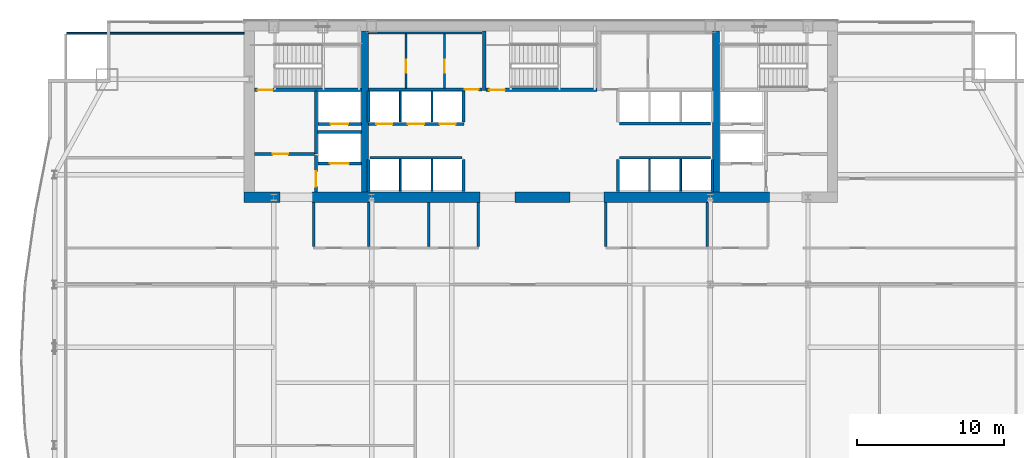
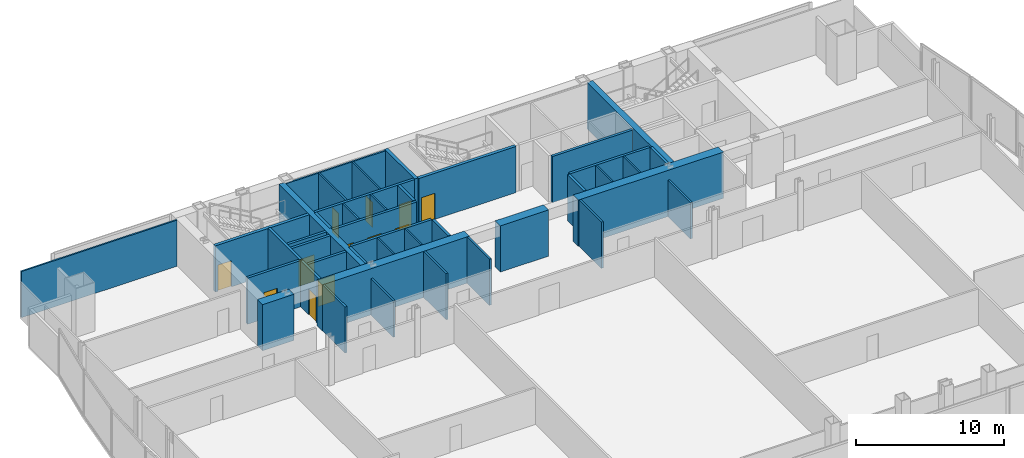
# One storey, part 29 of 34: 42 walls, 12 doors, 12 openings.
"""IFC4 building model written with IfcOpenShell, lengths in metres."""

from ifc_helpers import new_model, si_unit, direction, frame, frame_2d, origin, place, context, subcontext, project, spatial, rectangle, extrude, material, layer, layer_set, type_object, element, fill, save


model = new_model("IFC4")

# Units and contexts
model_context = context("Model", 3, precision=1e-05, world=origin(), true_north=direction((0.0, 1.0)))
body_context = subcontext(model_context, "Body", "Model", "MODEL_VIEW")
ifc_project = project(units=[si_unit("LENGTHUNIT", "METRE"), si_unit("AREAUNIT", "SQUARE_METRE"), si_unit("VOLUMEUNIT", "CUBIC_METRE"), si_unit("PLANEANGLEUNIT", "RADIAN"), si_unit("MASSUNIT", "GRAM", prefix="KILO")], contexts=[model_context])

# Site, building, storey
site_placement = place(None, origin())
site = spatial("IfcSite", under=ifc_project, at=site_placement, CompositionType="ELEMENT")
building_placement = place(site_placement, origin())
building = spatial("IfcBuilding", under=site, at=building_placement, Name="Khoronbel Lancet Exchange", CompositionType="ELEMENT")
storey_placement = place(building_placement, frame((0.0, 0.0, 102.60009765625)))
storey = spatial("IfcBuildingStorey", under=building, at=storey_placement, Name="L24", CompositionType="ELEMENT", Elevation=102.60009765625)

# Walls
ifc_material_1 = material(Name="Concrete C80/95", Category="concrete")
ifc_layer_1 = layer(ifc_material_1, 0.699951171875, Name="Concrete C80/95")
ifc_layer_set_1 = layer_set([ifc_layer_1], Name="Concrete C80/95")
wall_type_1 = type_object("IfcWallType", Name="WL-CW2", PredefinedType="SHEAR", material=ifc_layer_set_1)
wall_1_placement = place(storey_placement, frame((18.64990234375, 41.64990234375, 0.0), z_axis=(0.0, 0.0, 1.0), x_axis=(-1.0, 0.0, 0.0)))
element("IfcWall", 1, at=wall_1_placement, inside=storey, type_object=wall_type_1, Name="Level L24 rear core south shear wall pier P1", PredefinedType="SHEAR", context=body_context, shape_type="SweptSolid", body=[
    extrude(rectangle(XDim=2.449951171875, YDim=0.699951171875, at=frame_2d((1.22509765625, 0.0))), origin(), (0.0, 0.0, 1.0), 3.7998046875),
])
wall_2_placement = place(storey_placement, frame((32.300048828125, 41.64990234375, 0.0), z_axis=(0.0, 0.0, 1.0), x_axis=(-1.0, 0.0, 0.0)))
element("IfcWall", 2, at=wall_2_placement, inside=storey, type_object=wall_type_1, Name="Level L24 rear core south shear wall pier P2", PredefinedType="SHEAR", context=body_context, shape_type="SweptSolid", body=[
    extrude(rectangle(XDim=11.449951171875, YDim=0.699951171875, at=frame_2d((5.72509765625, 0.0))), origin(), (0.0, 0.0, 1.0), 3.7998046875),
])
wall_3_placement = place(storey_placement, frame((38.449951171875, 41.64990234375, 0.0), z_axis=(0.0, 0.0, 1.0), x_axis=(-1.0, 0.0, 0.0)))
element("IfcWall", 3, at=wall_3_placement, inside=storey, type_object=wall_type_1, Name="Level L24 rear core south shear wall pier P3", PredefinedType="SHEAR", context=body_context, shape_type="SweptSolid", body=[
    extrude(rectangle(XDim=3.75, YDim=0.699951171875, at=frame_2d((1.875, 0.0))), origin(), (0.0, 0.0, 1.0), 3.7998046875),
])
wall_4_placement = place(storey_placement, frame((52.050048828125, 41.64990234375, 0.0), z_axis=(0.0, 0.0, 1.0), x_axis=(-1.0, 0.0, 0.0)))
element("IfcWall", 4, at=wall_4_placement, inside=storey, type_object=wall_type_1, Name="Level L24 rear core south shear wall pier P4", PredefinedType="SHEAR", context=body_context, shape_type="SweptSolid", body=[
    extrude(rectangle(XDim=11.300048828125, YDim=0.699951171875, at=frame_2d((5.64990234375, 0.0))), origin(), (0.0, 0.0, 1.0), 3.7998046875),
])
ifc_material_2 = material(Name="Acoustic Metal-Stud & Mineral-Wool Gypsum Partition 120 mm", Category="gypsum")
ifc_layer_2 = layer(ifc_material_2, 0.1201171875, Name="Acoustic Metal-Stud & Mineral-Wool Gypsum Partition 120 mm")
ifc_layer_set_2 = layer_set([ifc_layer_2], Name="Acoustic Metal-Stud & Mineral-Wool Gypsum Partition 120 mm")
wall_type_2 = type_object("IfcWallType", Name="WL-PRT120", PredefinedType="PARTITIONING", material=ifc_layer_set_2)
wall_5_placement = place(storey_placement, frame((20.949951171875, 38.280029296875, 0.0), z_axis=(0.0, 0.0, 1.0), x_axis=(0.0, 1.0, 0.0)))
element("IfcWall", 5, at=wall_5_placement, inside=storey, type_object=wall_type_2, Name="Level L24 interior partition PW-WC-0", PredefinedType="PARTITIONING", context=body_context, shape_type="SweptSolid", body=[
    extrude(rectangle(XDim=3.02001953125, YDim=0.14990234375, at=frame_2d((1.510009765625, 0.0))), origin(), (0.0, 0.0, 1.0), 3.7998046875),
])
wall_6_placement = place(storey_placement, frame((24.699951171875, 38.280029296875, 0.0), z_axis=(0.0, 0.0, 1.0), x_axis=(0.0, 1.0, 0.0)))
element("IfcWall", 6, at=wall_6_placement, inside=storey, type_object=wall_type_2, Name="Level L24 interior partition PW-WC-1", PredefinedType="PARTITIONING", context=body_context, shape_type="SweptSolid", body=[
    extrude(rectangle(XDim=3.02001953125, YDim=0.14990234375, at=frame_2d((1.510009765625, 0.0))), origin(), (0.0, 0.0, 1.0), 2.989990234375),
])
for number, where, z_axis, x_axis, name in (
    (7, (28.800048828125, 38.280029296875, 0.0), (0.0, 0.0, 1.0), (0.0, 1.0, 0.0), "Level L24 interior partition PW-WC-2"),
    (8, (32.179931640625, 38.280029296875, 0.0), (0.0, 0.0, 1.0), (0.0, 1.0, 0.0), "Level L24 interior partition PW-WC-3"),
    (9, (40.8798828125, 38.280029296875, 0.0), (0.0, 0.0, 1.0), (0.0, 1.0, 0.0), "Level L24 interior partition PW-NP-0"),
):
    element("IfcWall", number, at=place(storey_placement, frame(where, z_axis=z_axis, x_axis=x_axis)), inside=storey, type_object=wall_type_2, Name=name, PredefinedType="PARTITIONING", context=body_context, shape_type="SweptSolid", body=[
        extrude(rectangle(XDim=3.02001953125, YDim=0.14990234375, at=frame_2d((1.510009765625, 0.0))), origin(), (0.0, 0.0, 1.0), 3.7998046875),
    ])
wall_7_placement = place(storey_placement, frame((47.800048828125, 38.280029296875, 0.0), z_axis=(0.0, 0.0, 1.0), x_axis=(0.0, 1.0, 0.0)))
element("IfcWall", 10, at=wall_7_placement, inside=storey, type_object=wall_type_2, Name="Level L24 interior partition PW-NP-M", PredefinedType="PARTITIONING", context=body_context, shape_type="SweptSolid", body=[
    extrude(rectangle(XDim=3.02001953125, YDim=0.14990234375, at=frame_2d((1.510009765625, 0.0))), origin(), (0.0, 0.0, 1.0), 2.989990234375),
])
wall_8_placement = place(storey_placement, frame((4.094970703125, 52.840087890625, 0.0), z_axis=(0.0, 0.0, 1.0), x_axis=(1.0, 0.0, 0.0)))
element("IfcWall", 11, at=wall_8_placement, inside=storey, type_object=wall_type_2, Name="Level L24 interior partition PW-LIN-NW", PredefinedType="PARTITIONING", context=body_context, shape_type="SweptSolid", body=[
    extrude(rectangle(XDim=12.10498046875, YDim=0.1201171875, at=frame_2d((6.052490234375, 0.0))), origin(), (0.0, 0.0, 1.0), 3.7998046875),
])
ifc_material_3 = material(Name="Fire-Rated Metal-Stud & Mineral-Wool Gypsum Partition 120 mm", Category="gypsum")
ifc_layer_3 = layer(ifc_material_3, 0.1201171875, Name="Fire-Rated Metal-Stud & Mineral-Wool Gypsum Partition 120 mm")
ifc_layer_set_3 = layer_set([ifc_layer_3], Name="Fire-Rated Metal-Stud & Mineral-Wool Gypsum Partition 120 mm")
wall_type_3 = type_object("IfcWallType", Name="WL-PRT120F", PredefinedType="PARTITIONING", material=ifc_layer_set_3)
for number, where, z_axis, x_axis, name in (
    (12, (26.860107421875, 46.800048828125, 0.0), (0.0, 0.0, 1.0), (0.0, 1.0, 0.0), "Level L24 interior partition CW-PL-D1"),
    (13, (29.02001953125, 46.800048828125, 0.0), (0.0, 0.0, 1.0), (0.0, 1.0, 0.0), "Level L24 interior partition CW-PL-D2"),
):
    element("IfcWall", number, at=place(storey_placement, frame(where, z_axis=z_axis, x_axis=x_axis)), inside=storey, type_object=wall_type_3, Name=name, PredefinedType="PARTITIONING", context=body_context, shape_type="SweptSolid", body=[
        extrude(rectangle(XDim=2.094970703125, YDim=0.1201171875, at=frame_2d((1.04736328125, 0.0))), origin(), (0.0, 0.0, 1.0), 3.7998046875),
    ])
for number, where, z_axis, x_axis, name in (
    (14, (26.860107421875, 42.050048828125, 0.0), (0.0, 0.0, 1.0), (0.0, 1.0, 0.0), "Level L24 interior partition CW-PM-D1"),
    (15, (29.02001953125, 42.050048828125, 0.0), (0.0, 0.0, 1.0), (0.0, 1.0, 0.0), "Level L24 interior partition CW-PM-D2"),
    (16, (43.860107421875, 42.050048828125, 0.0), (0.0, 0.0, 1.0), (0.0, 1.0, 0.0), "Level L24 interior partition CW-PX-D1"),
    (17, (46.0, 42.050048828125, 0.0), (0.0, 0.0, 1.0), (0.0, 1.0, 0.0), "Level L24 interior partition CW-PX-D2"),
):
    element("IfcWall", number, at=place(storey_placement, frame(where, z_axis=z_axis, x_axis=x_axis)), inside=storey, type_object=wall_type_3, Name=name, PredefinedType="PARTITIONING", context=body_context, shape_type="SweptSolid", body=[
        extrude(rectangle(XDim=2.195068359375, YDim=0.1201171875, at=frame_2d((1.09765625, 0.0))), origin(), (0.0, 0.0, 1.0), 3.7998046875),
    ])
wall_9_placement = place(storey_placement, frame((24.699951171875, 52.860107421875, 0.0), z_axis=(0.0, 0.0, 1.0), x_axis=(1.0, 0.0, 0.0)))
element("IfcWall", 18, at=wall_9_placement, inside=storey, type_object=wall_type_3, Name="Level L24 interior partition CW-SUP-NW-N", PredefinedType="PARTITIONING", context=body_context, shape_type="SweptSolid", body=[
    extrude(rectangle(XDim=7.719970703125, YDim=0.1201171875, at=frame_2d((3.85986328125, 0.0))), origin(), (0.0, 0.0, 1.0), 3.7998046875),
])

# Wall, opening, door
wall_10_placement = place(storey_placement, frame((27.24755859375, 49.10498046875, 0.0), z_axis=(0.0, 0.0, 1.0), x_axis=(0.0, 1.0, 0.0)))
wall_10 = element("IfcWall", 19, at=wall_10_placement, inside=storey, type_object=wall_type_3, Name="Level L24 interior partition CW-SUP-NW-T1", PredefinedType="PARTITIONING", context=body_context, shape_type="SweptSolid", body=[
    extrude(rectangle(XDim=3.68994140625, YDim=0.1201171875, at=frame_2d((1.844970703125, 0.0))), origin(), (0.0, 0.0, 1.0), 3.7998046875),
])
opening_1_placement = place(wall_10_placement, frame((1.050048828125, 0.0, 0.0)))
opening_1 = element("IfcOpeningElement", 20, at=opening_1_placement, cuts=wall_10, Name="Opening FD4", PredefinedType="OPENING", context=body_context, shape_type="SweptSolid", body=[
    extrude(rectangle(XDim=0.89990234375, YDim=2.050048828125, at=frame_2d((0.449951171875, 1.02490234375))), frame((0.0, 0.070068359375, 0.0), z_axis=(0.0, -1.0, 0.0), x_axis=(1.0, 0.0, 0.0)), (0.0, 0.0, 1.0), 0.14013671875),
])
ifc_material_4 = material(Name="Fire-Rated Steel Core Support Door Assembly", Category="steel")
door_type_1 = type_object("IfcDoorType", Name="DR-FD4", OperationType="NOTDEFINED", PredefinedType="DOOR", material=ifc_material_4)
door_1_placement = place(opening_1_placement, origin())
door_1 = element("IfcDoor", 21, at=door_1_placement, inside=storey, type_object=door_type_1, Name="Core NW bay 1 door L24-1", OperationType="SINGLE_SWING_RIGHT", OverallHeight=2.050048828125, OverallWidth=0.89990234375, PredefinedType="DOOR", context=body_context, shape_type="SweptSolid", body=[
    extrude(rectangle(XDim=0.89990234375, YDim=2.050048828125, at=frame_2d((0.449951171875, 1.02490234375))), frame((0.0, 0.02490234375, 0.0), z_axis=(0.0, -1.0, 0.0), x_axis=(1.0, 0.0, 0.0)), (0.0, 0.0, 1.0), 0.050048828125),
])
fill(opening_1, door_1)

wall_11_placement = place(storey_placement, frame((29.872314453125, 49.10498046875, 0.0), z_axis=(0.0, 0.0, 1.0), x_axis=(0.0, 1.0, 0.0)))
wall_11 = element("IfcWall", 22, at=wall_11_placement, inside=storey, type_object=wall_type_3, Name="Level L24 interior partition CW-SUP-NW-T2", PredefinedType="PARTITIONING", context=body_context, shape_type="SweptSolid", body=[
    extrude(rectangle(XDim=3.68994140625, YDim=0.1201171875, at=frame_2d((1.844970703125, 0.0))), origin(), (0.0, 0.0, 1.0), 3.7998046875),
])
opening_2_placement = place(wall_11_placement, frame((1.050048828125, 0.0, 0.0)))
opening_2 = element("IfcOpeningElement", 23, at=opening_2_placement, cuts=wall_11, Name="Opening FD4", PredefinedType="OPENING", context=body_context, shape_type="SweptSolid", body=[
    extrude(rectangle(XDim=0.89990234375, YDim=2.050048828125, at=frame_2d((0.449951171875, 1.02490234375))), frame((0.0, 0.070068359375, 0.0), z_axis=(0.0, -1.0, 0.0), x_axis=(1.0, 0.0, 0.0)), (0.0, 0.0, 1.0), 0.14013671875),
])
door_2_placement = place(opening_2_placement, origin())
door_2 = element("IfcDoor", 24, at=door_2_placement, inside=storey, type_object=door_type_1, Name="Core NW bay 2 door L24-1", OperationType="SINGLE_SWING_LEFT", OverallHeight=2.050048828125, OverallWidth=0.89990234375, PredefinedType="DOOR", context=body_context, shape_type="SweptSolid", body=[
    extrude(rectangle(XDim=0.89990234375, YDim=2.050048828125, at=frame_2d((0.449951171875, 1.02490234375))), frame((0.0, 0.02490234375, 0.0), z_axis=(0.0, -1.0, 0.0), x_axis=(1.0, 0.0, 0.0)), (0.0, 0.0, 1.0), 0.050048828125),
])
fill(opening_2, door_2)

ifc_material_5 = material(Name="Autoclaved Aerated Concrete Blockwork 200 mm", Category="masonry")
ifc_layer_4 = layer(ifc_material_5, 0.199951171875, Name="Autoclaved Aerated Concrete Blockwork 200 mm")
ifc_layer_set_4 = layer_set([ifc_layer_4], Name="Autoclaved Aerated Concrete Blockwork 200 mm")
wall_type_4 = type_object("IfcWallType", Name="WL-PRT200", PredefinedType="PARTITIONING", material=ifc_layer_set_4)
wall_12_placement = place(storey_placement, frame((24.2099609375, 43.949951171875, 0.0), z_axis=(0.0, 0.0, 1.0), x_axis=(-1.0, 0.0, 0.0)))
wall_12 = element("IfcWall", 25, at=wall_12_placement, inside=storey, type_object=wall_type_4, Name="Level L24 elevator hoistway landing front wall SVLW", PredefinedType="PARTITIONING", context=body_context, shape_type="SweptSolid", body=[
    extrude(rectangle(XDim=2.969970703125, YDim=0.199951171875, at=frame_2d((1.48486328125, 0.0))), origin(), (0.0, 0.0, 1.0), 3.7998046875),
])
opening_3_placement = place(wall_12_placement, frame((0.860107421875, 0.0, 0.0)))
opening_3 = element("IfcOpeningElement", 26, at=opening_3_placement, cuts=wall_12, Name="Opening LD-SVL1", PredefinedType="OPENING", context=body_context, shape_type="SweptSolid", body=[
    extrude(rectangle(XDim=1.300048828125, YDim=2.179931640625, at=frame_2d((0.64990234375, 1.08984375))), frame((0.0, 0.10986328125, 0.0), z_axis=(0.0, -1.0, 0.0), x_axis=(1.0, 0.0, 0.0)), (0.0, 0.0, 1.0), 0.219970703125),
])
ifc_material_6 = material(Name="Heavy-Duty Bi-Parting Goods Lift Landing Door", Category="steel")
door_type_2 = type_object("IfcDoorType", Name="DR-LD-SVL", OperationType="NOTDEFINED", PredefinedType="DOOR", material=ifc_material_6)
door_3_placement = place(opening_3_placement, origin())
door_3 = element("IfcDoor", 27, at=door_3_placement, inside=storey, type_object=door_type_2, Name="Elevator landing sliding door LD-SVL1 L24", OperationType="SLIDING_TO_LEFT", OverallHeight=2.179931640625, OverallWidth=1.300048828125, PredefinedType="DOOR", context=body_context, shape_type="SweptSolid", body=[
    extrude(rectangle(XDim=1.300048828125, YDim=2.179931640625, at=frame_2d((0.64990234375, 1.08984375))), frame((0.0, 0.02490234375, 0.0), z_axis=(0.0, -1.0, 0.0), x_axis=(1.0, 0.0, 0.0)), (0.0, 0.0, 1.0), 0.050048828125),
])
fill(opening_3, door_3)

wall_13_placement = place(storey_placement, frame((24.2099609375, 46.64990234375, 0.0), z_axis=(0.0, 0.0, 1.0), x_axis=(-1.0, 0.0, 0.0)))
wall_13 = element("IfcWall", 28, at=wall_13_placement, inside=storey, type_object=wall_type_4, Name="Level L24 elevator hoistway landing front wall FFLW", PredefinedType="PARTITIONING", context=body_context, shape_type="SweptSolid", body=[
    extrude(rectangle(XDim=2.969970703125, YDim=0.199951171875, at=frame_2d((1.48486328125, 0.0))), origin(), (0.0, 0.0, 1.0), 3.7998046875),
])
opening_4_placement = place(wall_13_placement, frame((0.909912109375, 0.0, 0.0)))
opening_4 = element("IfcOpeningElement", 29, at=opening_4_placement, cuts=wall_13, Name="Opening LD-FFL1", PredefinedType="OPENING", context=body_context, shape_type="SweptSolid", body=[
    extrude(rectangle(XDim=1.199951171875, YDim=2.179931640625, at=frame_2d((0.60009765625, 1.08984375))), frame((0.0, 0.10986328125, 0.0), z_axis=(0.0, -1.0, 0.0), x_axis=(1.0, 0.0, 0.0)), (0.0, 0.0, 1.0), 0.219970703125),
])
ifc_material_7 = material(Name="Fire-Rated Stainless Bi-Parting Firefighting Lift Door", Category="steel")
door_type_3 = type_object("IfcDoorType", Name="DR-LD-FFL", OperationType="NOTDEFINED", PredefinedType="DOOR", material=ifc_material_7)
door_4_placement = place(opening_4_placement, origin())
door_4 = element("IfcDoor", 30, at=door_4_placement, inside=storey, type_object=door_type_3, Name="Elevator landing sliding door LD-FFL1 L24", OperationType="SLIDING_TO_LEFT", OverallHeight=2.179931640625, OverallWidth=1.199951171875, PredefinedType="DOOR", context=body_context, shape_type="SweptSolid", body=[
    extrude(rectangle(XDim=1.199951171875, YDim=2.179931640625, at=frame_2d((0.60009765625, 1.08984375))), frame((0.0, 0.02490234375, 0.0), z_axis=(0.0, -1.0, 0.0), x_axis=(1.0, 0.0, 0.0)), (0.0, 0.0, 1.0), 0.050048828125),
])
fill(opening_4, door_4)

# Wall, openings, doors
wall_14_placement = place(storey_placement, frame((31.219970703125, 46.64990234375, 0.0), z_axis=(0.0, 0.0, 1.0), x_axis=(-1.0, 0.0, 0.0)))
wall_14 = element("IfcWall", 31, at=wall_14_placement, inside=storey, type_object=wall_type_4, Name="Level L24 elevator hoistway landing front wall PLW", PredefinedType="PARTITIONING", context=body_context, shape_type="SweptSolid", body=[
    extrude(rectangle(XDim=6.530029296875, YDim=0.199951171875, at=frame_2d((3.26513671875, 0.0))), origin(), (0.0, 0.0, 1.0), 3.7998046875),
])
opening_5_placement = place(wall_14_placement, frame((4.89990234375, 0.0, 0.0)))
opening_5 = element("IfcOpeningElement", 32, at=opening_5_placement, cuts=wall_14, Name="Opening LD-PL1", PredefinedType="OPENING", context=body_context, shape_type="SweptSolid", body=[
    extrude(rectangle(XDim=1.10009765625, YDim=2.179931640625, at=frame_2d((0.550048828125, 1.08984375))), frame((0.0, 0.10986328125, 0.0), z_axis=(0.0, -1.0, 0.0), x_axis=(1.0, 0.0, 0.0)), (0.0, 0.0, 1.0), 0.219970703125),
])
opening_6_placement = place(wall_14_placement, frame((2.739990234375, 0.0, 0.0)))
opening_6 = element("IfcOpeningElement", 33, at=opening_6_placement, cuts=wall_14, Name="Opening LD-PL2", PredefinedType="OPENING", context=body_context, shape_type="SweptSolid", body=[
    extrude(rectangle(XDim=1.10009765625, YDim=2.179931640625, at=frame_2d((0.550048828125, 1.08984375))), frame((0.0, 0.10986328125, 0.0), z_axis=(0.0, -1.0, 0.0), x_axis=(1.0, 0.0, 0.0)), (0.0, 0.0, 1.0), 0.219970703125),
])
opening_7_placement = place(wall_14_placement, frame((0.580078125, 0.0, 0.0)))
opening_7 = element("IfcOpeningElement", 34, at=opening_7_placement, cuts=wall_14, Name="Opening LD-PL3", PredefinedType="OPENING", context=body_context, shape_type="SweptSolid", body=[
    extrude(rectangle(XDim=1.10009765625, YDim=2.179931640625, at=frame_2d((0.550048828125, 1.08984375))), frame((0.0, 0.10986328125, 0.0), z_axis=(0.0, -1.0, 0.0), x_axis=(1.0, 0.0, 0.0)), (0.0, 0.0, 1.0), 0.219970703125),
])
ifc_material_8 = material(Name="Brushed Bronze Bi-Parting Elevator Landing Door", Category="steel")
door_type_4 = type_object("IfcDoorType", Name="DR-LD-PAX", OperationType="NOTDEFINED", PredefinedType="DOOR", material=ifc_material_8)
door_5_placement = place(opening_5_placement, origin())
door_5 = element("IfcDoor", 35, at=door_5_placement, inside=storey, type_object=door_type_4, Name="Elevator landing sliding door LD-PL1 L24", OperationType="SLIDING_TO_LEFT", OverallHeight=2.179931640625, OverallWidth=1.10009765625, PredefinedType="DOOR", context=body_context, shape_type="SweptSolid", body=[
    extrude(rectangle(XDim=1.10009765625, YDim=2.179931640625, at=frame_2d((0.550048828125, 1.08984375))), frame((0.0, 0.02490234375, 0.0), z_axis=(0.0, -1.0, 0.0), x_axis=(1.0, 0.0, 0.0)), (0.0, 0.0, 1.0), 0.050048828125),
])
fill(opening_5, door_5)
door_6_placement = place(opening_6_placement, origin())
door_6 = element("IfcDoor", 36, at=door_6_placement, inside=storey, type_object=door_type_4, Name="Elevator landing sliding door LD-PL2 L24", OperationType="SLIDING_TO_LEFT", OverallHeight=2.179931640625, OverallWidth=1.10009765625, PredefinedType="DOOR", context=body_context, shape_type="SweptSolid", body=[
    extrude(rectangle(XDim=1.10009765625, YDim=2.179931640625, at=frame_2d((0.550048828125, 1.08984375))), frame((0.0, 0.02490234375, 0.0), z_axis=(0.0, -1.0, 0.0), x_axis=(1.0, 0.0, 0.0)), (0.0, 0.0, 1.0), 0.050048828125),
])
fill(opening_6, door_6)
door_7_placement = place(opening_7_placement, origin())
door_7 = element("IfcDoor", 37, at=door_7_placement, inside=storey, type_object=door_type_4, Name="Elevator landing sliding door LD-PL3 L24", OperationType="SLIDING_TO_LEFT", OverallHeight=2.179931640625, OverallWidth=1.10009765625, PredefinedType="DOOR", context=body_context, shape_type="SweptSolid", body=[
    extrude(rectangle(XDim=1.10009765625, YDim=2.179931640625, at=frame_2d((0.550048828125, 1.08984375))), frame((0.0, 0.02490234375, 0.0), z_axis=(0.0, -1.0, 0.0), x_axis=(1.0, 0.0, 0.0)), (0.0, 0.0, 1.0), 0.050048828125),
])
fill(opening_7, door_7)

# Wall
wall_15_placement = place(storey_placement, frame((21.10009765625, 44.60009765625, 0.0), z_axis=(0.0, 0.0, 1.0), x_axis=(0.0, 1.0, 0.0)))
element("IfcWall", 38, at=wall_15_placement, inside=storey, type_object=wall_type_4, Name="Level L24 interior partition CW-FFLW-E", PredefinedType="PARTITIONING", context=body_context, shape_type="SweptSolid", body=[
    extrude(rectangle(XDim=4.2998046875, YDim=0.199951171875, at=frame_2d((2.14990234375, 0.0))), origin(), (0.0, 0.0, 1.0), 3.7998046875),
])

# Wall, opening, door
wall_16_placement = place(storey_placement, frame((16.89990234375, 44.60009765625, 0.0), z_axis=(0.0, 0.0, 1.0), x_axis=(1.0, 0.0, 0.0)))
wall_16 = element("IfcWall", 39, at=wall_16_placement, inside=storey, type_object=wall_type_4, Name="Level L24 interior partition CW-FFLW-S", PredefinedType="PARTITIONING", context=body_context, shape_type="SweptSolid", body=[
    extrude(rectangle(XDim=4.10009765625, YDim=0.199951171875, at=frame_2d((2.050048828125, 0.0))), origin(), (0.0, 0.0, 1.0), 3.7998046875),
])
opening_8_placement = place(wall_16_placement, frame((1.25, 0.0, 0.0)))
opening_8 = element("IfcOpeningElement", 40, at=opening_8_placement, cuts=wall_16, Name="Opening FD1", PredefinedType="OPENING", context=body_context, shape_type="SweptSolid", body=[
    extrude(rectangle(XDim=1.050048828125, YDim=2.14990234375, at=frame_2d((0.52490234375, 1.074951171875))), frame((0.0, 0.10986328125, 0.0), z_axis=(0.0, -1.0, 0.0), x_axis=(1.0, 0.0, 0.0)), (0.0, 0.0, 1.0), 0.219970703125),
])
ifc_material_9 = material(Name="Fire-Rated Painted Steel Door Assembly", Category="steel")
door_type_5 = type_object("IfcDoorType", Name="DR-FD1", OperationType="NOTDEFINED", PredefinedType="DOOR", material=ifc_material_9)
door_8_placement = place(opening_8_placement, origin())
door_8 = element("IfcDoor", 41, at=door_8_placement, inside=storey, type_object=door_type_5, Name="West firefighting lobby FD90S door L24-1", OperationType="SINGLE_SWING_LEFT", OverallHeight=2.14990234375, OverallWidth=1.050048828125, PredefinedType="DOOR", context=body_context, shape_type="SweptSolid", body=[
    extrude(rectangle(XDim=1.050048828125, YDim=2.14990234375, at=frame_2d((0.52490234375, 1.074951171875))), frame((0.0, 0.02490234375, 0.0), z_axis=(0.0, -1.0, 0.0), x_axis=(1.0, 0.0, 0.0)), (0.0, 0.0, 1.0), 0.050048828125),
])
fill(opening_8, door_8)

# Wall
wall_17_placement = place(storey_placement, frame((21.199951171875, 46.1201171875, 0.0), z_axis=(0.0, 0.0, 1.0), x_axis=(1.0, 0.0, 0.0)))
element("IfcWall", 42, at=wall_17_placement, inside=storey, type_object=wall_type_4, Name="Level L24 interior partition CW-FFL1-S", PredefinedType="PARTITIONING", context=body_context, shape_type="SweptSolid", body=[
    extrude(rectangle(XDim=3.02001953125, YDim=0.199951171875, at=frame_2d((1.510009765625, 0.0))), origin(), (0.0, 0.0, 1.0), 3.7998046875),
])

# Wall, opening, door
wall_18_placement = place(storey_placement, frame((21.10009765625, 42.0, 0.0), z_axis=(0.0, 0.0, 1.0), x_axis=(0.0, 1.0, 0.0)))
wall_18 = element("IfcWall", 43, at=wall_18_placement, inside=storey, type_object=wall_type_4, Name="Level L24 interior partition CW-SVLW-W", PredefinedType="PARTITIONING", context=body_context, shape_type="SweptSolid", body=[
    extrude(rectangle(XDim=2.4951171875, YDim=0.199951171875, at=frame_2d((1.24755859375, 0.0))), origin(), (0.0, 0.0, 1.0), 3.7998046875),
])
opening_9_placement = place(wall_18_placement, frame((0.3798828125, 0.0, 0.0)))
opening_9 = element("IfcOpeningElement", 44, at=opening_9_placement, cuts=wall_18, Name="Opening FD1", PredefinedType="OPENING", context=body_context, shape_type="SweptSolid", body=[
    extrude(rectangle(XDim=1.050048828125, YDim=2.14990234375, at=frame_2d((0.52490234375, 1.074951171875))), frame((0.0, 0.10986328125, 0.0), z_axis=(0.0, -1.0, 0.0), x_axis=(1.0, 0.0, 0.0)), (0.0, 0.0, 1.0), 0.219970703125),
])
door_9_placement = place(opening_9_placement, origin())
door_9 = element("IfcDoor", 45, at=door_9_placement, inside=storey, type_object=door_type_5, Name="West service lift lobby door L24-1", OperationType="SINGLE_SWING_RIGHT", OverallHeight=2.14990234375, OverallWidth=1.050048828125, PredefinedType="DOOR", context=body_context, shape_type="SweptSolid", body=[
    extrude(rectangle(XDim=1.050048828125, YDim=2.14990234375, at=frame_2d((0.52490234375, 1.074951171875))), frame((0.0, 0.02490234375, 0.0), z_axis=(0.0, -1.0, 0.0), x_axis=(1.0, 0.0, 0.0)), (0.0, 0.0, 1.0), 0.050048828125),
])
fill(opening_9, door_9)

# Walls
for number, where, z_axis, x_axis, name in (
    (46, (24.699951171875, 46.800048828125, 0.0), (0.0, 0.0, 1.0), (0.0, 1.0, 0.0), "Level L24 interior partition CW-PL-W"),
    (47, (31.179931640625, 46.800048828125, 0.0), (0.0, 0.0, 1.0), (0.0, 1.0, 0.0), "Level L24 interior partition CW-PL-E"),
):
    element("IfcWall", number, at=place(storey_placement, frame(where, z_axis=z_axis, x_axis=x_axis)), inside=storey, type_object=wall_type_4, Name=name, PredefinedType="PARTITIONING", context=body_context, shape_type="SweptSolid", body=[
        extrude(rectangle(XDim=2.094970703125, YDim=0.199951171875, at=frame_2d((1.04736328125, 0.0))), origin(), (0.0, 0.0, 1.0), 3.7998046875),
    ])
wall_19_placement = place(storey_placement, frame((24.804931640625, 44.35009765625, 0.0), z_axis=(0.0, 0.0, 1.0), x_axis=(1.0, 0.0, 0.0)))
element("IfcWall", 48, at=wall_19_placement, inside=storey, type_object=wall_type_4, Name="Level L24 interior partition CW-PM-EXP", PredefinedType="PARTITIONING", context=body_context, shape_type="SweptSolid", body=[
    extrude(rectangle(XDim=6.27001953125, YDim=0.199951171875, at=frame_2d((3.135009765625, 0.0))), origin(), (0.0, 0.0, 1.0), 3.7998046875),
])
for number, where, z_axis, x_axis, name in (
    (49, (24.699951171875, 42.050048828125, 0.0), (0.0, 0.0, 1.0), (0.0, 1.0, 0.0), "Level L24 interior partition CW-PM-W"),
    (50, (31.179931640625, 42.050048828125, 0.0), (0.0, 0.0, 1.0), (0.0, 1.0, 0.0), "Level L24 interior partition CW-PM-E"),
):
    element("IfcWall", number, at=place(storey_placement, frame(where, z_axis=z_axis, x_axis=x_axis)), inside=storey, type_object=wall_type_4, Name=name, PredefinedType="PARTITIONING", context=body_context, shape_type="SweptSolid", body=[
        extrude(rectangle(XDim=2.195068359375, YDim=0.199951171875, at=frame_2d((1.09765625, 0.0))), origin(), (0.0, 0.0, 1.0), 3.7998046875),
    ])
for number, where, z_axis, x_axis, name in (
    (51, (41.824951171875, 46.699951171875, 0.0), (0.0, 0.0, 1.0), (1.0, 0.0, 0.0), "Level L24 interior partition CW-PH-EXP"),
    (52, (41.824951171875, 44.35009765625, 0.0), (0.0, 0.0, 1.0), (1.0, 0.0, 0.0), "Level L24 interior partition CW-PX-EXP"),
):
    element("IfcWall", number, at=place(storey_placement, frame(where, z_axis=z_axis, x_axis=x_axis)), inside=storey, type_object=wall_type_4, Name=name, PredefinedType="PARTITIONING", context=body_context, shape_type="SweptSolid", body=[
        extrude(rectangle(XDim=6.2099609375, YDim=0.199951171875, at=frame_2d((3.10498046875, 0.0))), origin(), (0.0, 0.0, 1.0), 3.7998046875),
    ])
for number, where, z_axis, x_axis, name in (
    (53, (41.719970703125, 42.050048828125, 0.0), (0.0, 0.0, 1.0), (0.0, 1.0, 0.0), "Level L24 interior partition CW-PX-W"),
    (54, (48.139892578125, 42.050048828125, 0.0), (0.0, 0.0, 1.0), (0.0, 1.0, 0.0), "Level L24 interior partition CW-PX-E"),
):
    element("IfcWall", number, at=place(storey_placement, frame(where, z_axis=z_axis, x_axis=x_axis)), inside=storey, type_object=wall_type_4, Name=name, PredefinedType="PARTITIONING", context=body_context, shape_type="SweptSolid", body=[
        extrude(rectangle(XDim=2.195068359375, YDim=0.199951171875, at=frame_2d((1.09765625, 0.0))), origin(), (0.0, 0.0, 1.0), 3.7998046875),
    ])

# Wall, opening, door
wall_20_placement = place(storey_placement, frame((24.699951171875, 49.0, 0.0), z_axis=(0.0, 0.0, 1.0), x_axis=(1.0, 0.0, 0.0)))
wall_20 = element("IfcWall", 55, at=wall_20_placement, inside=storey, type_object=wall_type_4, Name="Level L24 interior partition CW-SUP-NW-S", PredefinedType="PARTITIONING", context=body_context, shape_type="SweptSolid", body=[
    extrude(rectangle(XDim=7.719970703125, YDim=0.199951171875, at=frame_2d((3.85986328125, 0.0))), origin(), (0.0, 0.0, 1.0), 3.7998046875),
])
opening_10_placement = place(wall_20_placement, frame((6.56005859375, 0.0, 0.0)))
opening_10 = element("IfcOpeningElement", 56, at=opening_10_placement, cuts=wall_20, Name="Opening FD3", PredefinedType="OPENING", context=body_context, shape_type="SweptSolid", body=[
    extrude(rectangle(XDim=0.949951171875, YDim=2.10009765625, at=frame_2d((0.47509765625, 1.050048828125))), frame((0.0, 0.10986328125, 0.0), z_axis=(0.0, -1.0, 0.0), x_axis=(1.0, 0.0, 0.0)), (0.0, 0.0, 1.0), 0.219970703125),
])
ifc_material_10 = material(Name="Fire-Rated Steel Plant & Riser Door Assembly", Category="steel")
door_type_6 = type_object("IfcDoorType", Name="DR-FD3", OperationType="NOTDEFINED", PredefinedType="DOOR", material=ifc_material_10)
door_10_placement = place(opening_10_placement, origin())
door_10 = element("IfcDoor", 57, at=door_10_placement, inside=storey, type_object=door_type_6, Name="Core NW support room door L24-1", OperationType="SINGLE_SWING_LEFT", OverallHeight=2.10009765625, OverallWidth=0.949951171875, PredefinedType="DOOR", context=body_context, shape_type="SweptSolid", body=[
    extrude(rectangle(XDim=0.949951171875, YDim=2.10009765625, at=frame_2d((0.47509765625, 1.050048828125))), frame((0.0, 0.02490234375, 0.0), z_axis=(0.0, -1.0, 0.0), x_axis=(1.0, 0.0, 0.0)), (0.0, 0.0, 1.0), 0.050048828125),
])
fill(opening_10, door_10)

# Walls
ifc_layer_5 = layer(ifc_material_1, 0.449951171875, Name="Concrete C80/95")
ifc_layer_set_5 = layer_set([ifc_layer_5], Name="Concrete C80/95")
wall_type_5 = type_object("IfcWallType", Name="WL-SW1", PredefinedType="SHEAR", material=ifc_layer_set_5)
for number, where, z_axis, x_axis, name in (
    (58, (24.449951171875, 42.0, 0.0), (0.0, 0.0, 1.0), (0.0, 1.0, 0.0), "Level L24 rear core internal spine shear wall IW"),
    (59, (48.39990234375, 42.0, 0.0), (0.0, 0.0, 1.0), (0.0, 1.0, 0.0), "Level L24 rear core internal spine shear wall IE"),
):
    element("IfcWall", number, at=place(storey_placement, frame(where, z_axis=z_axis, x_axis=x_axis)), inside=storey, type_object=wall_type_5, Name=name, PredefinedType="SHEAR", context=body_context, shape_type="SweptSolid", body=[
        extrude(rectangle(XDim=11.0, YDim=0.449951171875, at=frame_2d((5.5, 0.0))), origin(), (0.0, 0.0, 1.0), 3.7998046875),
    ])
ifc_material_11 = material(Name="Concrete C60/75", Category="concrete")
ifc_layer_6 = layer(ifc_material_11, 0.260009765625, Name="Concrete C60/75")
ifc_layer_set_6 = layer_set([ifc_layer_6], Name="Concrete C60/75")
wall_type_6 = type_object("IfcWallType", Name="WL-SW3", PredefinedType="SHEAR", material=ifc_layer_set_6)
wall_21_placement = place(storey_placement, frame((32.580078125, 48.949951171875, 0.0), z_axis=(0.0, 0.0, 1.0), x_axis=(0.0, 1.0, 0.0)))
element("IfcWall", 60, at=wall_21_placement, inside=storey, type_object=wall_type_6, Name="Level L24 central stairwell structural shear wall ST3W", PredefinedType="SHEAR", context=body_context, shape_type="SweptSolid", body=[
    extrude(rectangle(XDim=4.050048828125, YDim=0.260009765625, at=frame_2d((2.02490234375, 0.0))), origin(), (0.0, 0.0, 1.0), 3.7998046875),
])

# Wall, opening, door
wall_22_placement = place(storey_placement, frame((16.89990234375, 48.97998046875, 0.0), z_axis=(0.0, 0.0, 1.0), x_axis=(1.0, 0.0, 0.0)))
wall_22 = element("IfcWall", 61, at=wall_22_placement, inside=storey, type_object=wall_type_6, Name="Level L24 west stairwell structural south wall", PredefinedType="SHEAR", context=body_context, shape_type="SweptSolid", body=[
    extrude(rectangle(XDim=7.320068359375, YDim=0.239990234375, at=frame_2d((3.66015625, 0.0))), origin(), (0.0, 0.0, 1.0), 3.7998046875),
])
opening_11_placement = place(wall_22_placement, frame((0.219970703125, 0.0, 0.0)))
opening_11 = element("IfcOpeningElement", 62, at=opening_11_placement, cuts=wall_22, Name="Opening SD1", PredefinedType="OPENING", context=body_context, shape_type="SweptSolid", body=[
    extrude(rectangle(XDim=1.050048828125, YDim=2.14990234375, at=frame_2d((0.52490234375, 1.074951171875))), frame((0.0, 0.1298828125, 0.0), z_axis=(0.0, -1.0, 0.0), x_axis=(1.0, 0.0, 0.0)), (0.0, 0.0, 1.0), 0.260009765625),
])
ifc_material_12 = material(Name="Fire-Rated Steel Stairwell Door Assembly", Category="steel")
door_type_7 = type_object("IfcDoorType", Name="DR-SD1", OperationType="NOTDEFINED", PredefinedType="DOOR", material=ifc_material_12)
door_11_placement = place(opening_11_placement, origin())
door_11 = element("IfcDoor", 63, at=door_11_placement, inside=storey, type_object=door_type_7, Name="Protected exit stair ST1 door L24", OperationType="SINGLE_SWING_LEFT", OverallHeight=2.14990234375, OverallWidth=1.050048828125, PredefinedType="DOOR", context=body_context, shape_type="SweptSolid", body=[
    extrude(rectangle(XDim=1.050048828125, YDim=2.14990234375, at=frame_2d((0.52490234375, 1.074951171875))), frame((0.0, 0.02490234375, 0.0), z_axis=(0.0, -1.0, 0.0), x_axis=(1.0, 0.0, 0.0)), (0.0, 0.0, 1.0), 0.050048828125),
])
fill(opening_11, door_11)

wall_23_placement = place(storey_placement, frame((32.719970703125, 48.97998046875, 0.0), z_axis=(0.0, 0.0, 1.0), x_axis=(1.0, 0.0, 0.0)))
wall_23 = element("IfcWall", 64, at=wall_23_placement, inside=storey, type_object=wall_type_6, Name="Level L24 central stairwell structural south wall", PredefinedType="SHEAR", context=body_context, shape_type="SweptSolid", body=[
    extrude(rectangle(XDim=7.56005859375, YDim=0.239990234375, at=frame_2d((3.780029296875, 0.0))), origin(), (0.0, 0.0, 1.0), 3.7998046875),
])
opening_12_placement = place(wall_23_placement, frame((0.219970703125, 0.0, 0.0)))
opening_12 = element("IfcOpeningElement", 65, at=opening_12_placement, cuts=wall_23, Name="Opening SD1", PredefinedType="OPENING", context=body_context, shape_type="SweptSolid", body=[
    extrude(rectangle(XDim=1.050048828125, YDim=2.14990234375, at=frame_2d((0.52490234375, 1.074951171875))), frame((0.0, 0.1298828125, 0.0), z_axis=(0.0, -1.0, 0.0), x_axis=(1.0, 0.0, 0.0)), (0.0, 0.0, 1.0), 0.260009765625),
])
door_12_placement = place(opening_12_placement, origin())
door_12 = element("IfcDoor", 66, at=door_12_placement, inside=storey, type_object=door_type_7, Name="Protected exit stair ST3 door L24", OperationType="SINGLE_SWING_LEFT", OverallHeight=2.14990234375, OverallWidth=1.050048828125, PredefinedType="DOOR", context=body_context, shape_type="SweptSolid", body=[
    extrude(rectangle(XDim=1.050048828125, YDim=2.14990234375, at=frame_2d((0.52490234375, 1.074951171875))), frame((0.0, 0.02490234375, 0.0), z_axis=(0.0, -1.0, 0.0), x_axis=(1.0, 0.0, 0.0)), (0.0, 0.0, 1.0), 0.050048828125),
])
fill(opening_12, door_12)

save(model, "model.ifc")
